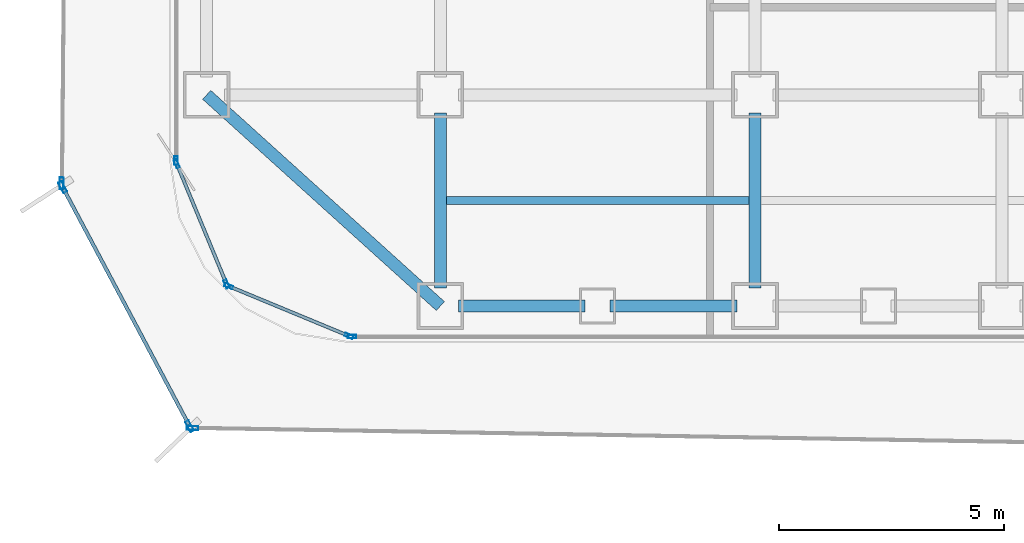
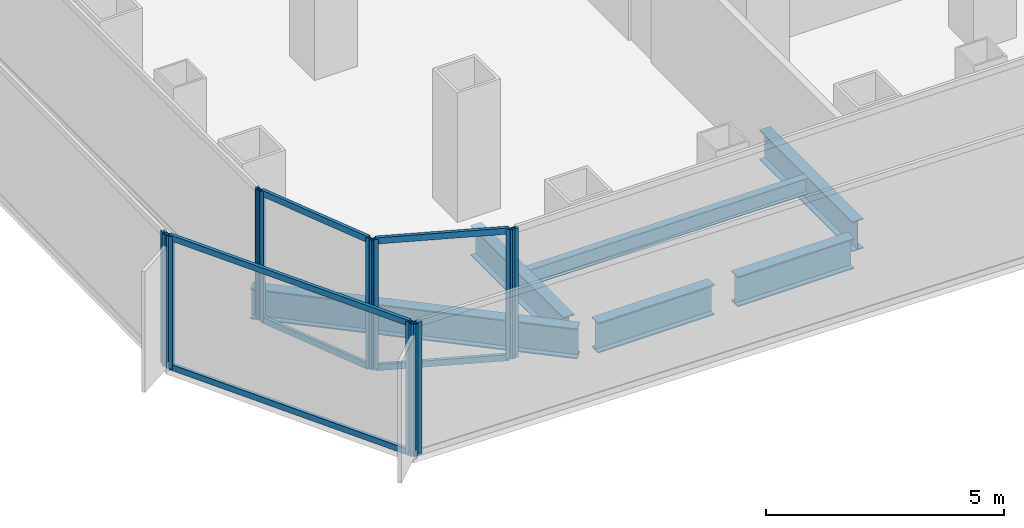
# One storey, part 2 of 21: 16 members, 6 beams, 7 elements without a shape of their own.
"""IFC4 building model written with IfcOpenShell, lengths in metres."""

from ifc_helpers import new_model, si_unit, direction, frame, origin, origin_2d, place, context, subcontext, project, spatial, hollow_rectangle, i_section, extrude, source, transform, mapped, material, layer, layer_set, material_profile, profile_set, type_object, element, aggregate, save


model = new_model("IFC4")

# Units and contexts
model_context = context("Model", 3, precision=1e-05, world=origin(), true_north=direction((0.0, 1.0)))
body_context = subcontext(model_context, "Body", "Model", "MODEL_VIEW")
ifc_project = project(units=[si_unit("LENGTHUNIT", "METRE"), si_unit("AREAUNIT", "SQUARE_METRE"), si_unit("VOLUMEUNIT", "CUBIC_METRE"), si_unit("PLANEANGLEUNIT", "RADIAN"), si_unit("MASSUNIT", "GRAM", prefix="KILO")], contexts=[model_context])

# Site, building, storey
site_placement = place(None, origin())
site = spatial("IfcSite", under=ifc_project, at=site_placement, CompositionType="ELEMENT")
building_placement = place(site_placement, origin())
building = spatial("IfcBuilding", under=site, at=building_placement, Name="Kolveth Station Tower", CompositionType="ELEMENT")
storey_placement = place(building_placement, frame((0.0, 0.0, 58.5)))
storey = spatial("IfcBuildingStorey", under=building, at=storey_placement, Name="L15", CompositionType="ELEMENT", Elevation=58.5)

# Beams
ifc_material_1 = material(Name="Steel S355", Category="steel")
ifc_material_profile_1 = material_profile(ifc_material_1, i_section(OverallWidth=0.26904296875, OverallDepth=0.77490234375, WebThickness=0.01708984375, FlangeThickness=0.0283203125, at=origin_2d()), Name="W760x220")
ifc_profile_set_1 = profile_set([ifc_material_profile_1], Name="Steel S355")
beam_type_1 = type_object("IfcBeamType", Name="Beam_SP1", PredefinedType="SPANDREL", material=ifc_profile_set_1)
shared_shape_1 = source(origin(), body_context, "Body", "SweptSolid", [
    extrude(i_section(OverallWidth=0.26904296875, OverallDepth=0.77490234375, WebThickness=0.01708984375, FlangeThickness=0.0283203125, at=origin_2d()), origin(), (0.0, 0.0, 1.0), 7.00927734375),
])
beam_1_placement = place(storey_placement, frame((0.800048828125, 5.5, -0.66748046875), z_axis=(0.741874009795, -0.670539300557, 0.0), x_axis=(0.670539300557, 0.741874009795, 0.0)))
element("IfcBeam", 1, at=beam_1_placement, inside=storey, type_object=beam_type_1, Name="L15 Corner Edge Girder BM-L15-CNR-SW", PredefinedType="SPANDREL", context=body_context, shape_type="MappedRepresentation", body=[
    mapped(shared_shape_1, transform((0.0, 0.0, 0.0), x_axis=(1.0, 0.0, 0.0), y_axis=(0.0, 1.0, 0.0), z_axis=(0.0, 0.0, 1.0), scale=1.0)),
])
shared_shape_2 = source(origin(), body_context, "Body", "SweptSolid", [
    extrude(i_section(OverallWidth=0.26904296875, OverallDepth=0.77490234375, WebThickness=0.01708984375, FlangeThickness=0.0283203125, at=origin_2d()), origin(), (0.0, 0.0, 1.0), 2.820068359375),
])
for number, where, z_axis, x_axis, name in (
    (2, (6.39990234375, 0.800048828125, -0.66748046875), (1.0, 0.0, 0.0), (0.0, 1.0, 0.0), "L15 Perimeter Spandrel BM-L15-PS-1"),
    (3, (9.780029296875, 0.800048828125, -0.66748046875), (1.0, 0.0, 0.0), (0.0, 1.0, 0.0), "L15 Perimeter Spandrel BM-L15-PS-2"),
):
    element("IfcBeam", number, at=place(storey_placement, frame(where, z_axis=z_axis, x_axis=x_axis)), inside=storey, type_object=beam_type_1, Name=name, PredefinedType="SPANDREL", context=body_context, shape_type="MappedRepresentation", body=[
        mapped(shared_shape_2, transform((0.0, 0.0, 0.0), x_axis=(1.0, 0.0, 0.0), y_axis=(0.0, 1.0, 0.0), z_axis=(0.0, 0.0, 1.0), scale=1.0)),
    ])
ifc_material_profile_2 = material_profile(ifc_material_1, i_section(OverallWidth=0.26708984375, OverallDepth=0.76611328125, WebThickness=0.014892578125, FlangeThickness=0.023681640625, at=origin_2d()), Name="W760x185")
ifc_profile_set_2 = profile_set([ifc_material_profile_2], Name="Steel S355")
beam_type_2 = type_object("IfcBeamType", Name="Beam_B3", PredefinedType="BEAM", material=ifc_profile_set_2)
shared_shape_3 = source(origin(), body_context, "Body", "SweptSolid", [
    extrude(i_section(OverallWidth=0.26708984375, OverallDepth=0.76611328125, WebThickness=0.014892578125, FlangeThickness=0.023681640625, at=origin_2d()), origin(), (0.0, 0.0, 1.0), 3.900146484375),
])
for number, where, z_axis, x_axis, name in (
    (4, (6.0, 1.199951171875, -0.6630859375), (0.0, 1.0, 0.0), (-1.0, 0.0, 0.0), "L15 Primary Girder BM-L15-GX60-1"),
    (5, (13.0, 1.199951171875, -0.6630859375), (0.0, 1.0, 0.0), (-1.0, 0.0, 0.0), "L15 Primary Girder BM-L15-GX130-1"),
):
    element("IfcBeam", number, at=place(storey_placement, frame(where, z_axis=z_axis, x_axis=x_axis)), inside=storey, type_object=beam_type_2, Name=name, PredefinedType="BEAM", context=body_context, shape_type="MappedRepresentation", body=[
        mapped(shared_shape_3, transform((0.0, 0.0, 0.0), x_axis=(1.0, 0.0, 0.0), y_axis=(0.0, 1.0, 0.0), z_axis=(0.0, 0.0, 1.0), scale=1.0)),
    ])
ifc_material_profile_3 = material_profile(ifc_material_1, i_section(OverallWidth=0.177978515625, OverallDepth=0.406982421875, WebThickness=0.0078125, FlangeThickness=0.0126953125, at=origin_2d()), Name="W410x60")
ifc_profile_set_3 = profile_set([ifc_material_profile_3], Name="Steel S355")
beam_type_3 = type_object("IfcBeamType", Name="Beam_J1", PredefinedType="JOIST", material=ifc_profile_set_3)
shared_shape_4 = source(origin(), body_context, "Body", "SweptSolid", [
    extrude(i_section(OverallWidth=0.177978515625, OverallDepth=0.406982421875, WebThickness=0.0078125, FlangeThickness=0.0126953125, at=origin_2d()), origin(), (0.0, 0.0, 1.0), 6.73681640625),
])
beam_2_placement = place(storey_placement, frame((6.131591796875, 3.14990234375, -0.4833984375), z_axis=(1.0, 0.0, 0.0), x_axis=(0.0, 1.0, 0.0)))
element("IfcBeam", 6, at=beam_2_placement, inside=storey, type_object=beam_type_3, Name="L15 Secondary Joist JST-L15-2-1", PredefinedType="JOIST", context=body_context, shape_type="MappedRepresentation", body=[
    mapped(shared_shape_4, transform((0.0, 0.0, 0.0), x_axis=(1.0, 0.0, 0.0), y_axis=(0.0, 1.0, 0.0), z_axis=(0.0, 0.0, 1.0), scale=1.0)),
])

# Curtain wall, member
ifc_material_2 = material(Name="Aluminium 6063-T6 and low-E dark glass", Category="aluminium")
ifc_layer_1 = layer(ifc_material_2, 0.179931640625)
ifc_layer_set_1 = layer_set([ifc_layer_1], Name="Aluminium 6063-T6 and low-E dark glass")
curtain_wall_type_1 = type_object("IfcCurtainWallType", Name="CurtainWall_CW-Z1", PredefinedType="NOTDEFINED", material=ifc_layer_set_1)
curtain_wall_1_placement = place(storey_placement, origin())
curtain_wall_1 = element("IfcCurtainWall", 7, at=curtain_wall_1_placement, inside=storey, type_object=curtain_wall_type_1, Name="L15 Inner Thermal Curtain Wall 9", PredefinedType="NOTDEFINED")
ifc_material_3 = material(Name="Black anodized aluminium 6063-T6", Category="aluminium")
ifc_material_profile_4 = material_profile(ifc_material_3, hollow_rectangle(XDim=0.074951171875, YDim=0.18994140625, WallThickness=0.0048828125, at=origin_2d()), Name="ALU-75x190x5")
ifc_profile_set_4 = profile_set([ifc_material_profile_4], Name="Black anodized aluminium 6063-T6")
member_type_1 = type_object("IfcMemberType", Name="Mullion_ML1", PredefinedType="MULLION", material=ifc_profile_set_4)
shared_shape_5 = source(origin(), body_context, "Body", "SweptSolid", [
    extrude(hollow_rectangle(XDim=0.074951171875, YDim=0.18994140625, WallThickness=0.0048828125, at=origin_2d()), origin(), (0.0, 0.0, 1.0), 3.320068359375),
])
member_1_placement = place(storey_placement, frame((0.1201171875, 4.03759765625, 0.0), z_axis=(0.0, 0.0, 1.0), x_axis=(1.0, 0.0, 0.0)))
member_1 = element("IfcMember", 8, at=member_1_placement, type_object=member_type_1, Name="CW-Z1 mullion 2", PredefinedType="MULLION", context=body_context, shape_type="MappedRepresentation", body=[
    mapped(shared_shape_5, transform((0.0, 0.0, 0.0), x_axis=(1.0, 0.0, 0.0), y_axis=(0.0, 1.0, 0.0), z_axis=(0.0, 0.0, 1.0), scale=1.0)),
])
aggregate(curtain_wall_1, [member_1])

# Curtain wall, members
curtain_wall_2_placement = place(storey_placement, origin())
curtain_wall_2 = element("IfcCurtainWall", 9, at=curtain_wall_2_placement, inside=storey, type_object=curtain_wall_type_1, Name="L15 Inner Thermal Curtain Wall 10", PredefinedType="NOTDEFINED")
member_2_placement = place(storey_placement, frame((0.13427734375, 3.96533203125, 0.0), z_axis=(0.0, 0.0, 1.0), x_axis=(0.923883857728, 0.382672990201, 0.0)))
member_2 = element("IfcMember", 10, at=member_2_placement, type_object=member_type_1, Name="CW-Z1 mullion 1", PredefinedType="MULLION", context=body_context, shape_type="MappedRepresentation", body=[
    mapped(shared_shape_5, transform((0.0, 0.0, 0.0), x_axis=(1.0, 0.0, 0.0), y_axis=(0.0, 1.0, 0.0), z_axis=(0.0, 0.0, 1.0), scale=1.0)),
])
member_3_placement = place(storey_placement, frame((1.241943359375, 1.291015625, 0.0), z_axis=(0.0, 0.0, 1.0), x_axis=(0.923883857728, 0.382672990201, 0.0)))
member_3 = element("IfcMember", 11, at=member_3_placement, type_object=member_type_1, Name="CW-Z1 mullion 2", PredefinedType="MULLION", context=body_context, shape_type="MappedRepresentation", body=[
    mapped(shared_shape_5, transform((0.0, 0.0, 0.0), x_axis=(1.0, 0.0, 0.0), y_axis=(0.0, 1.0, 0.0), z_axis=(0.0, 0.0, 1.0), scale=1.0)),
])

curtain_wall_3_placement = place(storey_placement, origin())
curtain_wall_3 = element("IfcCurtainWall", 12, at=curtain_wall_3_placement, inside=storey, type_object=curtain_wall_type_1, Name="L15 Inner Thermal Curtain Wall 11", PredefinedType="NOTDEFINED")
member_4_placement = place(storey_placement, frame((1.291015625, 1.241943359375, 0.0), z_axis=(0.0, 0.0, 1.0), x_axis=(0.382672990201, 0.923883857728, 0.0)))
member_4 = element("IfcMember", 13, at=member_4_placement, type_object=member_type_1, Name="CW-Z1 mullion 1", PredefinedType="MULLION", context=body_context, shape_type="MappedRepresentation", body=[
    mapped(shared_shape_5, transform((0.0, 0.0, 0.0), x_axis=(1.0, 0.0, 0.0), y_axis=(0.0, 1.0, 0.0), z_axis=(0.0, 0.0, 1.0), scale=1.0)),
])
member_5_placement = place(storey_placement, frame((3.96533203125, 0.13427734375, 0.0), z_axis=(0.0, 0.0, 1.0), x_axis=(0.382672990201, 0.923883857728, 0.0)))
member_5 = element("IfcMember", 14, at=member_5_placement, type_object=member_type_1, Name="CW-Z1 mullion 2", PredefinedType="MULLION", context=body_context, shape_type="MappedRepresentation", body=[
    mapped(shared_shape_5, transform((0.0, 0.0, 0.0), x_axis=(1.0, 0.0, 0.0), y_axis=(0.0, 1.0, 0.0), z_axis=(0.0, 0.0, 1.0), scale=1.0)),
])

# Curtain wall, member
curtain_wall_4_placement = place(storey_placement, origin())
curtain_wall_4 = element("IfcCurtainWall", 15, at=curtain_wall_4_placement, inside=storey, type_object=curtain_wall_type_1, Name="L15 Inner Thermal Curtain Wall 12", PredefinedType="NOTDEFINED")
member_6_placement = place(storey_placement, frame((4.03759765625, 0.1201171875, 0.0), z_axis=(0.0, 0.0, 1.0), x_axis=(0.0, 1.0, 0.0)))
member_6 = element("IfcMember", 16, at=member_6_placement, type_object=member_type_1, Name="CW-Z1 mullion 1", PredefinedType="MULLION", context=body_context, shape_type="MappedRepresentation", body=[
    mapped(shared_shape_5, transform((0.0, 0.0, 0.0), x_axis=(1.0, 0.0, 0.0), y_axis=(0.0, 1.0, 0.0), z_axis=(0.0, 0.0, 1.0), scale=1.0)),
])
aggregate(curtain_wall_4, [member_6])

# Member
ifc_material_profile_5 = material_profile(ifc_material_3, hollow_rectangle(XDim=0.074951171875, YDim=0.159912109375, WallThickness=0.0048828125, at=origin_2d()), Name="ALU-75x160x5")
ifc_profile_set_5 = profile_set([ifc_material_profile_5], Name="Black anodized aluminium 6063-T6")
member_type_2 = type_object("IfcMemberType", Name="Transom_TR1", PredefinedType="USERDEFINED", material=ifc_profile_set_5)
shared_shape_6 = source(origin(), body_context, "Body", "SweptSolid", [
    extrude(hollow_rectangle(XDim=0.074951171875, YDim=0.159912109375, WallThickness=0.0048828125, at=origin_2d()), origin(), (0.0, 0.0, 1.0), 2.819580078125),
])
member_7_placement = place(storey_placement, frame((0.148681640625, 3.9306640625, 0.03759765625), z_axis=(0.382708655389, -0.923869084389, 0.0), x_axis=(0.923869084389, 0.382708655389, 0.0)))
member_7 = element("IfcMember", 17, at=member_7_placement, type_object=member_type_2, Name="CW-Z1 transom 1.1", ObjectType="TRANSOM", PredefinedType="USERDEFINED", context=body_context, shape_type="MappedRepresentation", body=[
    mapped(shared_shape_6, transform((0.0, 0.0, 0.0), x_axis=(1.0, 0.0, 0.0), y_axis=(0.0, 1.0, 0.0), z_axis=(0.0, 0.0, 1.0), scale=1.0)),
])

member_8_placement = place(storey_placement, frame((0.148681640625, 3.9306640625, 3.282470703125), z_axis=(0.382708655389, -0.923869084389, 0.0), x_axis=(0.923869084389, 0.382708655389, 0.0)))
member_8 = element("IfcMember", 18, at=member_8_placement, type_object=member_type_2, Name="CW-Z1 transom 1.2", ObjectType="TRANSOM", PredefinedType="USERDEFINED", context=body_context, shape_type="MappedRepresentation", body=[
    mapped(shared_shape_6, transform((0.0, 0.0, 0.0), x_axis=(1.0, 0.0, 0.0), y_axis=(0.0, 1.0, 0.0), z_axis=(0.0, 0.0, 1.0), scale=1.0)),
])

aggregate(curtain_wall_2, [member_2, member_3, member_7, member_8])

member_9_placement = place(storey_placement, frame((1.32568359375, 1.227783203125, 0.03759765625), z_axis=(0.923869084389, -0.382708655389, 0.0), x_axis=(0.382708655389, 0.923869084389, 0.0)))
member_9 = element("IfcMember", 19, at=member_9_placement, type_object=member_type_2, Name="CW-Z1 transom 1.1", ObjectType="TRANSOM", PredefinedType="USERDEFINED", context=body_context, shape_type="MappedRepresentation", body=[
    mapped(shared_shape_6, transform((0.0, 0.0, 0.0), x_axis=(1.0, 0.0, 0.0), y_axis=(0.0, 1.0, 0.0), z_axis=(0.0, 0.0, 1.0), scale=1.0)),
])

member_10_placement = place(storey_placement, frame((1.32568359375, 1.227783203125, 3.282470703125), z_axis=(0.923869084389, -0.382708655389, 0.0), x_axis=(0.382708655389, 0.923869084389, 0.0)))
member_10 = element("IfcMember", 20, at=member_10_placement, type_object=member_type_2, Name="CW-Z1 transom 1.2", ObjectType="TRANSOM", PredefinedType="USERDEFINED", context=body_context, shape_type="MappedRepresentation", body=[
    mapped(shared_shape_6, transform((0.0, 0.0, 0.0), x_axis=(1.0, 0.0, 0.0), y_axis=(0.0, 1.0, 0.0), z_axis=(0.0, 0.0, 1.0), scale=1.0)),
])

aggregate(curtain_wall_3, [member_4, member_5, member_9, member_10])

# Curtain wall, member
ifc_material_4 = material(Name="Black anodized aluminium 6063-T6 and dark solar glass", Category="aluminium")
ifc_layer_2 = layer(ifc_material_4, 0.159912109375)
ifc_layer_set_2 = layer_set([ifc_layer_2], Name="Black anodized aluminium 6063-T6 and dark solar glass")
curtain_wall_type_2 = type_object("IfcCurtainWallType", Name="OUTER SKIN CW-OS", PredefinedType="NOTDEFINED", material=ifc_layer_set_2)
curtain_wall_5_placement = place(storey_placement, origin())
curtain_wall_5 = element("IfcCurtainWall", 21, at=curtain_wall_5_placement, inside=storey, type_object=curtain_wall_type_2, Name="L15 Outer Ventilated Skin Curtain Wall 6", PredefinedType="NOTDEFINED")
ifc_material_profile_6 = material_profile(ifc_material_3, hollow_rectangle(XDim=0.090087890625, YDim=0.260009765625, WallThickness=0.0048828125, at=origin_2d()), Name="ALU-90x260x5")
ifc_profile_set_6 = profile_set([ifc_material_profile_6], Name="Black anodized aluminium 6063-T6")
member_type_3 = type_object("IfcMemberType", Name="FIN MULLION ML-OS", PredefinedType="MULLION", material=ifc_profile_set_6)
shared_shape_7 = source(origin(), body_context, "Body", "SweptSolid", [
    extrude(hollow_rectangle(XDim=0.090087890625, YDim=0.260009765625, WallThickness=0.0048828125, at=origin_2d()), origin(), (0.0, 0.0, 1.0), 3.389892578125),
])
member_11_placement = place(storey_placement, frame((-2.427001953125, 3.531005859375, 0.0), z_axis=(0.0, 0.0, 1.0), x_axis=(0.999957233662, -0.009248288889, 0.0)))
member_11 = element("IfcMember", 22, at=member_11_placement, type_object=member_type_3, Name="CW-OS mullion 2", PredefinedType="MULLION", context=body_context, shape_type="MappedRepresentation", body=[
    mapped(shared_shape_7, transform((0.0, 0.0, 0.0), x_axis=(1.0, 0.0, 0.0), y_axis=(0.0, 1.0, 0.0), z_axis=(0.0, 0.0, 1.0), scale=1.0)),
])
aggregate(curtain_wall_5, [member_11])

# Curtain wall, members
curtain_wall_6_placement = place(storey_placement, origin())
curtain_wall_6 = element("IfcCurtainWall", 23, at=curtain_wall_6_placement, inside=storey, type_object=curtain_wall_type_2, Name="L15 Outer Ventilated Skin Curtain Wall 7", PredefinedType="NOTDEFINED")
member_12_placement = place(storey_placement, frame((-2.40625, 3.446044921875, 0.0), z_axis=(0.0, 0.0, 1.0), x_axis=(0.883139434124, 0.469110583865, 0.0)))
member_12 = element("IfcMember", 24, at=member_12_placement, type_object=member_type_3, Name="CW-OS mullion 1", PredefinedType="MULLION", context=body_context, shape_type="MappedRepresentation", body=[
    mapped(shared_shape_7, transform((0.0, 0.0, 0.0), x_axis=(1.0, 0.0, 0.0), y_axis=(0.0, 1.0, 0.0), z_axis=(0.0, 0.0, 1.0), scale=1.0)),
])
member_13_placement = place(storey_placement, frame((0.419921875, -1.874267578125, 0.0), z_axis=(0.0, 0.0, 1.0), x_axis=(0.883139434124, 0.469110583865, 0.0)))
member_13 = element("IfcMember", 25, at=member_13_placement, type_object=member_type_3, Name="CW-OS mullion 2", PredefinedType="MULLION", context=body_context, shape_type="MappedRepresentation", body=[
    mapped(shared_shape_7, transform((0.0, 0.0, 0.0), x_axis=(1.0, 0.0, 0.0), y_axis=(0.0, 1.0, 0.0), z_axis=(0.0, 0.0, 1.0), scale=1.0)),
])

# Curtain wall, member
curtain_wall_7_placement = place(storey_placement, origin())
curtain_wall_7 = element("IfcCurtainWall", 26, at=curtain_wall_7_placement, inside=storey, type_object=curtain_wall_type_2, Name="L15 Outer Ventilated Skin Curtain Wall 8", PredefinedType="NOTDEFINED")
member_14_placement = place(storey_placement, frame((0.486083984375, -1.914794921875, 0.0), z_axis=(0.0, 0.0, 1.0), x_axis=(0.017078020466, 0.999854159974, 0.0)))
member_14 = element("IfcMember", 27, at=member_14_placement, type_object=member_type_3, Name="CW-OS mullion 1", PredefinedType="MULLION", context=body_context, shape_type="MappedRepresentation", body=[
    mapped(shared_shape_7, transform((0.0, 0.0, 0.0), x_axis=(1.0, 0.0, 0.0), y_axis=(0.0, 1.0, 0.0), z_axis=(0.0, 0.0, 1.0), scale=1.0)),
])
aggregate(curtain_wall_7, [member_14])

# Member
ifc_material_profile_7 = material_profile(ifc_material_3, hollow_rectangle(XDim=0.080078125, YDim=0.14990234375, WallThickness=0.0048828125, at=origin_2d()), Name="ALU-80x150x5")
ifc_profile_set_7 = profile_set([ifc_material_profile_7], Name="Black anodized aluminium 6063-T6")
member_type_4 = type_object("IfcMemberType", Name="Transom_TR-OS", PredefinedType="USERDEFINED", material=ifc_profile_set_7)
shared_shape_8 = source(origin(), body_context, "Body", "SweptSolid", [
    extrude(hollow_rectangle(XDim=0.080078125, YDim=0.14990234375, WallThickness=0.0048828125, at=origin_2d()), origin(), (0.0, 0.0, 1.0), 5.934814453125),
])
member_15_placement = place(storey_placement, frame((-2.385009765625, 3.406494140625, 0.0400390625), z_axis=(0.469095068971, -0.883147675232, 0.0), x_axis=(0.883147675232, 0.469095068971, 0.0)))
member_15 = element("IfcMember", 28, at=member_15_placement, type_object=member_type_4, Name="CW-OS transom 1.1", ObjectType="TRANSOM", PredefinedType="USERDEFINED", context=body_context, shape_type="MappedRepresentation", body=[
    mapped(shared_shape_8, transform((0.0, 0.0, 0.0), x_axis=(1.0, 0.0, 0.0), y_axis=(0.0, 1.0, 0.0), z_axis=(0.0, 0.0, 1.0), scale=1.0)),
])

member_16_placement = place(storey_placement, frame((-2.385009765625, 3.406494140625, 3.35009765625), z_axis=(0.469095068971, -0.883147675232, 0.0), x_axis=(0.883147675232, 0.469095068971, 0.0)))
member_16 = element("IfcMember", 29, at=member_16_placement, type_object=member_type_4, Name="CW-OS transom 1.2", ObjectType="TRANSOM", PredefinedType="USERDEFINED", context=body_context, shape_type="MappedRepresentation", body=[
    mapped(shared_shape_8, transform((0.0, 0.0, 0.0), x_axis=(1.0, 0.0, 0.0), y_axis=(0.0, 1.0, 0.0), z_axis=(0.0, 0.0, 1.0), scale=1.0)),
])

aggregate(curtain_wall_6, [member_12, member_13, member_15, member_16])

save(model, "model.ifc")
